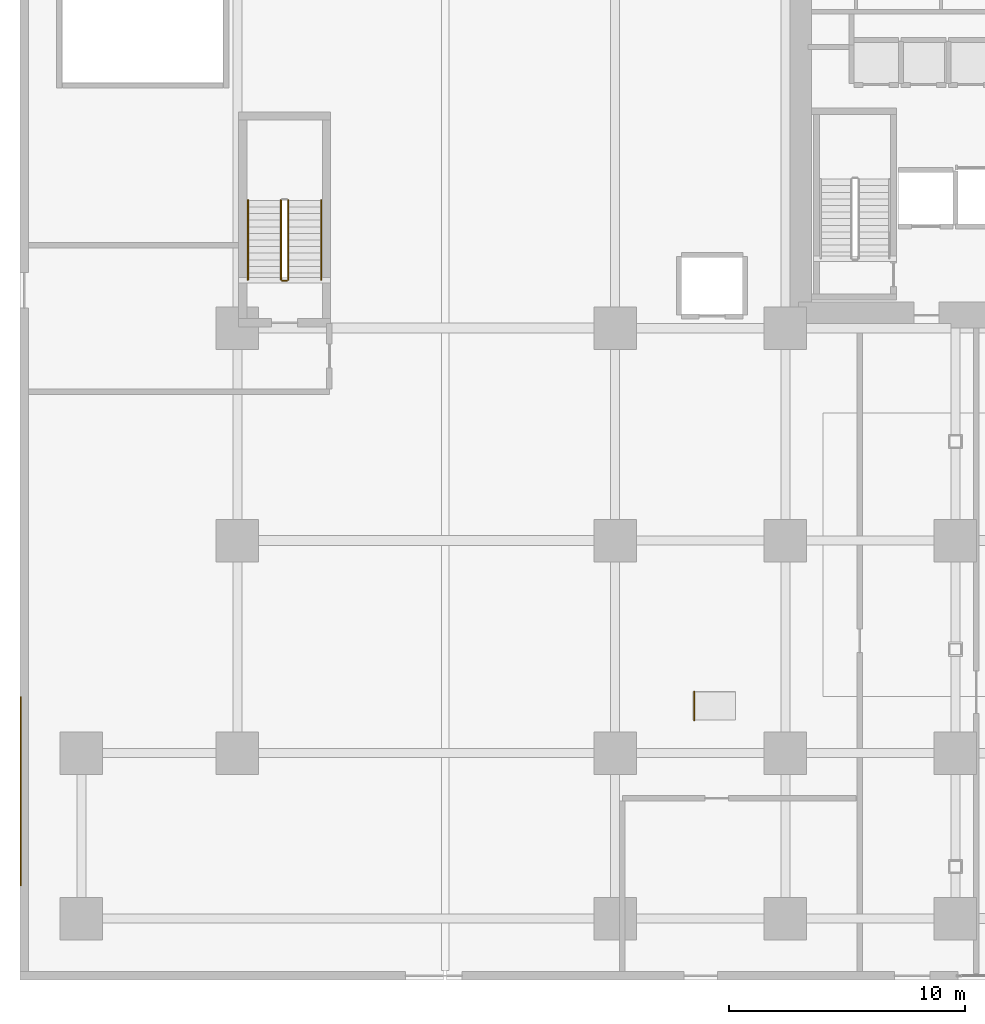
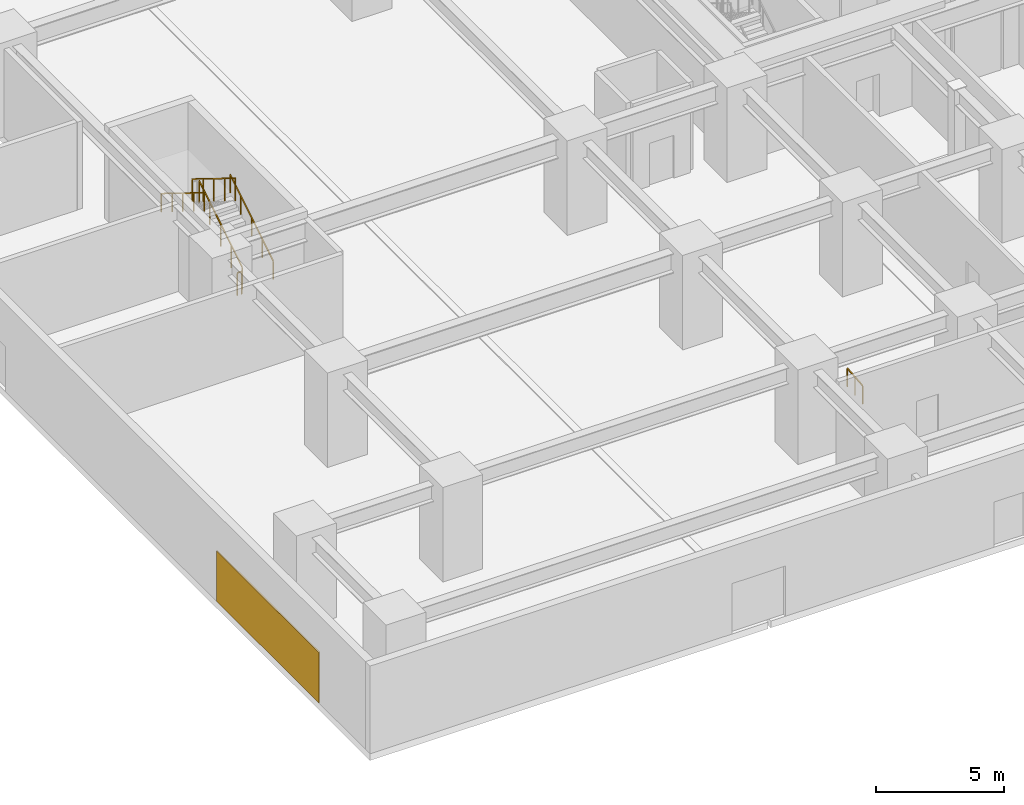
# One storey, part 18 of 26: 6 railings, 1 covering.
"""IFC4 building model written with IfcOpenShell, lengths in metres."""

from ifc_helpers import new_model, si_unit, direction, frame, origin, origin_2d, place, context, subcontext, project, spatial, polyline, rectangle, outline, extrude, material, layer, layer_set, type_object, element, save


model = new_model("IFC4")

# Units and contexts
model_context = context("Model", 3, precision=1e-05, world=origin(), true_north=direction((0.0, 1.0)))
body_context = subcontext(model_context, "Body", "Model", "MODEL_VIEW")
ifc_project = project(units=[si_unit("LENGTHUNIT", "METRE"), si_unit("AREAUNIT", "SQUARE_METRE"), si_unit("VOLUMEUNIT", "CUBIC_METRE"), si_unit("PLANEANGLEUNIT", "RADIAN"), si_unit("MASSUNIT", "GRAM", prefix="KILO")], contexts=[model_context])

# Site, building, storey
site_placement = place(None, origin())
site = spatial("IfcSite", under=ifc_project, at=site_placement, CompositionType="ELEMENT")
building_placement = place(site_placement, origin())
building = spatial("IfcBuilding", under=site, at=building_placement, Name="Kiyonajd Concourse Tower", CompositionType="ELEMENT")
storey_placement = place(building_placement, origin())
storey = spatial("IfcBuildingStorey", under=building, at=storey_placement, Name="L01", CompositionType="ELEMENT", Elevation=0.0)

# Covering
ifc_material_1 = material(Name="Riyadh Jubaila Limestone", Category="masonry")
ifc_layer = layer(ifc_material_1, 0.06005859375)
ifc_layer_set = layer_set([ifc_layer], Name="Riyadh Jubaila Limestone")
covering_type = type_object("IfcCoveringType", Name="CV-CLD-STONE", PredefinedType="CLADDING", material=ifc_layer_set)
covering_placement = place(storey_placement, origin())
element("IfcCovering", 1, at=covering_placement, inside=storey, type_object=covering_type, Name="L01 Riyadh Jubaila Limestone Pier Cladding 1", PredefinedType="CLADDING", context=body_context, shape_type="SweptSolid", body=[
    extrude(outline(polyline([(0.0, 4.0), (0.06005859375, 4.0), (0.06005859375, 12.0), (0.0, 12.0), (0.0, 4.0)])), origin(), (0.0, 0.0, 1.0), 2.39990234375),
])

# Railings
ifc_material_2 = material(Name="Steel ASTM A500 Grade C", Category="steel")
railing_type_1 = type_object("IfcRailingType", Name="RL-GRD-STR", PredefinedType="GUARDRAIL", material=ifc_material_2)
railing_1_placement = place(storey_placement, frame((11.35009765625, 29.64990234375, 0.173095703125)))
element("IfcRailing", 2, at=railing_1_placement, inside=storey, type_object=railing_type_1, Name="L01 ST4 stair guard 1", PredefinedType="GUARDRAIL", context=body_context, shape_type="SweptSolid", body=[
    extrude(rectangle(XDim=0.048095703125, YDim=0.048095703125, at=origin_2d()), frame((0.0, 0.0, 1.076171875), z_axis=(0.0, 0.850623216509, 0.525775754039), x_axis=(-1.0, 0.0, 0.0)), (0.0, 0.0, 1.0), 3.9501953125),
    extrude(rectangle(XDim=0.0419921875, YDim=0.0419921875, at=origin_2d()), origin(), (0.0, 0.0, 1.0), 1.052001953125),
    extrude(rectangle(XDim=0.0419921875, YDim=0.0419921875, at=origin_2d()), frame((0.0, 0.840087890625, 0.519287109375)), (0.0, 0.0, 1.0), 1.052001953125),
    extrude(rectangle(XDim=0.0419921875, YDim=0.0419921875, at=origin_2d()), frame((0.0, 1.68017578125, 1.03857421875)), (0.0, 0.0, 1.0), 1.052001953125),
    extrude(rectangle(XDim=0.0419921875, YDim=0.0419921875, at=origin_2d()), frame((0.0, 2.52001953125, 1.5576171875)), (0.0, 0.0, 1.0), 1.052001953125),
    extrude(rectangle(XDim=0.0419921875, YDim=0.0419921875, at=origin_2d()), frame((0.0, 3.360107421875, 2.076904296875)), (0.0, 0.0, 1.0), 1.052001953125),
])
railing_2_placement = place(storey_placement, frame((11.050048828125, 33.010009765625, 2.423095703125)))
element("IfcRailing", 3, at=railing_2_placement, inside=storey, type_object=railing_type_1, Name="L01 ST4 stair guard 3", PredefinedType="GUARDRAIL", context=body_context, shape_type="SweptSolid", body=[
    extrude(rectangle(XDim=0.048095703125, YDim=0.048095703125, at=origin_2d()), frame((0.0, 0.0, 1.076171875), z_axis=(0.0, -0.850623216509, 0.525775754039), x_axis=(1.0, 0.0, 0.0)), (0.0, 0.0, 1.0), 3.9501953125),
    extrude(rectangle(XDim=0.0419921875, YDim=0.0419921875, at=origin_2d()), origin(), (0.0, 0.0, 1.0), 1.052001953125),
    extrude(rectangle(XDim=0.0419921875, YDim=0.0419921875, at=origin_2d()), frame((0.0, -0.840087890625, 0.519287109375)), (0.0, 0.0, 1.0), 1.052001953125),
    extrude(rectangle(XDim=0.0419921875, YDim=0.0419921875, at=origin_2d()), frame((0.0, -1.68017578125, 1.03857421875)), (0.0, 0.0, 1.0), 1.052001953125),
    extrude(rectangle(XDim=0.0419921875, YDim=0.0419921875, at=origin_2d()), frame((0.0, -2.52001953125, 1.5576171875)), (0.0, 0.0, 1.0), 1.052001953125),
    extrude(rectangle(XDim=0.0419921875, YDim=0.0419921875, at=origin_2d()), frame((0.0, -3.360107421875, 2.076904296875)), (0.0, 0.0, 1.0), 1.052001953125),
])
railing_3_placement = place(storey_placement, frame((11.300048828125, 29.60009765625, 0.0)))
element("IfcRailing", 4, at=railing_3_placement, inside=storey, type_object=railing_type_1, Name="L01 ST4 stair guard 4", PredefinedType="GUARDRAIL", context=body_context, shape_type="SweptSolid", body=[
    extrude(rectangle(XDim=0.048095703125, YDim=0.048095703125, at=origin_2d()), frame((0.0, 0.0, 1.076171875), z_axis=(-1.0, 0.0, 0.0), x_axis=(0.0, -1.0, 0.0)), (0.0, 0.0, 1.0), 0.199951171875),
    extrude(rectangle(XDim=0.0419921875, YDim=0.0419921875, at=origin_2d()), origin(), (0.0, 0.0, 1.0), 1.052001953125),
    extrude(rectangle(XDim=0.0419921875, YDim=0.0419921875, at=origin_2d()), frame((-0.199951171875, 0.0, 0.0)), (0.0, 0.0, 1.0), 1.052001953125),
])
ifc_material_3 = material(Name="Brushed Stainless Steel Cab Assembly", Category="steel")
railing_type_2 = type_object("IfcRailingType", Name="RL-HND-900", PredefinedType="HANDRAIL", material=ifc_material_3)
railing_4_placement = place(storey_placement, frame((12.75, 29.64990234375, 0.173095703125)))
element("IfcRailing", 5, at=railing_4_placement, inside=storey, type_object=railing_type_2, Name="L01 ST4 stair handrail 1", PredefinedType="HANDRAIL", context=body_context, shape_type="SweptSolid", body=[
    extrude(rectangle(XDim=0.048095703125, YDim=0.048095703125, at=origin_2d()), frame((0.0, 0.0, 0.8759765625), z_axis=(0.0, 0.850623216509, 0.525775754039), x_axis=(-1.0, 0.0, 0.0)), (0.0, 0.0, 1.0), 3.9501953125),
    extrude(rectangle(XDim=0.0419921875, YDim=0.0419921875, at=origin_2d()), origin(), (0.0, 0.0, 1.0), 0.851806640625),
    extrude(rectangle(XDim=0.0419921875, YDim=0.0419921875, at=origin_2d()), frame((0.0, 0.840087890625, 0.519287109375)), (0.0, 0.0, 1.0), 0.851806640625),
    extrude(rectangle(XDim=0.0419921875, YDim=0.0419921875, at=origin_2d()), frame((0.0, 1.68017578125, 1.03857421875)), (0.0, 0.0, 1.0), 0.851806640625),
    extrude(rectangle(XDim=0.0419921875, YDim=0.0419921875, at=origin_2d()), frame((0.0, 2.52001953125, 1.5576171875)), (0.0, 0.0, 1.0), 0.851806640625),
    extrude(rectangle(XDim=0.0419921875, YDim=0.0419921875, at=origin_2d()), frame((0.0, 3.360107421875, 2.076904296875)), (0.0, 0.0, 1.0), 0.851806640625),
])
railing_5_placement = place(storey_placement, frame((9.64990234375, 33.010009765625, 2.423095703125)))
element("IfcRailing", 6, at=railing_5_placement, inside=storey, type_object=railing_type_2, Name="L01 ST4 stair handrail 2", PredefinedType="HANDRAIL", context=body_context, shape_type="SweptSolid", body=[
    extrude(rectangle(XDim=0.048095703125, YDim=0.048095703125, at=origin_2d()), frame((0.0, 0.0, 0.8759765625), z_axis=(0.0, -0.850623216509, 0.525775754039), x_axis=(1.0, 0.0, 0.0)), (0.0, 0.0, 1.0), 3.9501953125),
    extrude(rectangle(XDim=0.0419921875, YDim=0.0419921875, at=origin_2d()), origin(), (0.0, 0.0, 1.0), 0.851806640625),
    extrude(rectangle(XDim=0.0419921875, YDim=0.0419921875, at=origin_2d()), frame((0.0, -0.840087890625, 0.519287109375)), (0.0, 0.0, 1.0), 0.851806640625),
    extrude(rectangle(XDim=0.0419921875, YDim=0.0419921875, at=origin_2d()), frame((0.0, -1.68017578125, 1.03857421875)), (0.0, 0.0, 1.0), 0.851806640625),
    extrude(rectangle(XDim=0.0419921875, YDim=0.0419921875, at=origin_2d()), frame((0.0, -2.52001953125, 1.5576171875)), (0.0, 0.0, 1.0), 0.851806640625),
    extrude(rectangle(XDim=0.0419921875, YDim=0.0419921875, at=origin_2d()), frame((0.0, -3.360107421875, 2.076904296875)), (0.0, 0.0, 1.0), 0.851806640625),
])
railing_6_placement = place(storey_placement, frame((28.550048828125, 11.0, 0.0)))
element("IfcRailing", 7, at=railing_6_placement, inside=storey, type_object=railing_type_2, Name="L01 Accessible Ramp Handrail", PredefinedType="HANDRAIL", context=body_context, shape_type="SweptSolid", body=[
    extrude(rectangle(XDim=0.048095703125, YDim=0.048095703125, at=origin_2d()), frame((0.0, 0.0, 0.8759765625), z_axis=(0.0, 0.996538763176, 0.083129378007), x_axis=(-1.0, 0.0, 0.0)), (0.0, 0.0, 1.0), 1.2041015625),
    extrude(rectangle(XDim=0.0419921875, YDim=0.0419921875, at=origin_2d()), origin(), (0.0, 0.0, 1.0), 0.851806640625),
    extrude(rectangle(XDim=0.0419921875, YDim=0.0419921875, at=origin_2d()), frame((0.0, 0.60009765625, 0.050048828125)), (0.0, 0.0, 1.0), 0.851806640625),
    extrude(rectangle(XDim=0.0419921875, YDim=0.0419921875, at=origin_2d()), frame((0.0, 1.199951171875, 0.10009765625)), (0.0, 0.0, 1.0), 0.851806640625),
])

save(model, "model.ifc")
